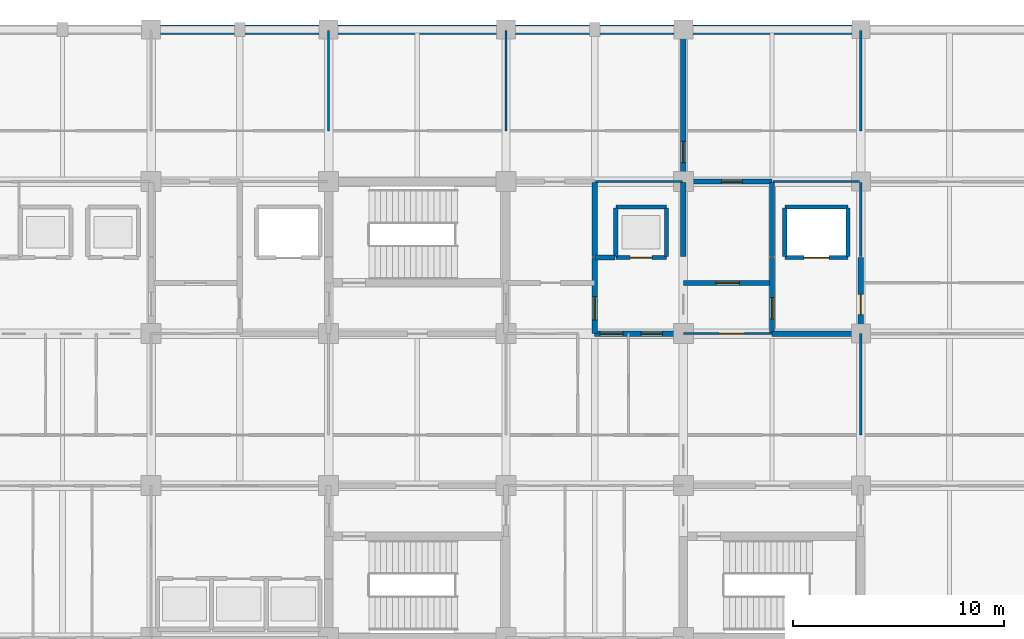
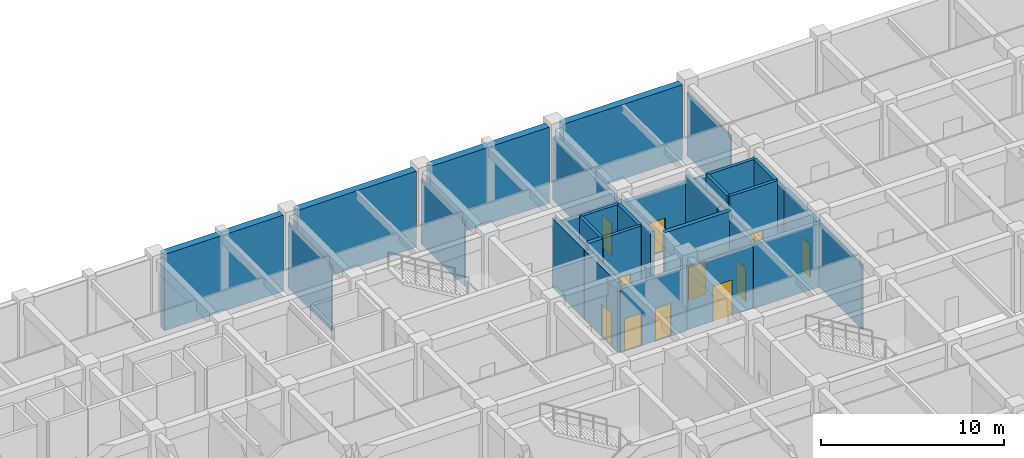
# One storey, part 34 of 48: 32 walls, 11 doors, 11 openings.
"""IFC4 building model written with IfcOpenShell, lengths in metres."""

from ifc_helpers import new_model, si_unit, direction, frame, frame_2d, origin, place, context, subcontext, project, spatial, rectangle, extrude, material, layer, layer_set, type_object, element, fill, save


model = new_model("IFC4")

# Units and contexts
model_context = context("Model", 3, precision=1e-05, world=origin(), true_north=direction((0.0, 1.0)))
body_context = subcontext(model_context, "Body", "Model", "MODEL_VIEW")
ifc_project = project(units=[si_unit("LENGTHUNIT", "METRE"), si_unit("AREAUNIT", "SQUARE_METRE"), si_unit("VOLUMEUNIT", "CUBIC_METRE"), si_unit("PLANEANGLEUNIT", "RADIAN"), si_unit("MASSUNIT", "GRAM", prefix="KILO")], contexts=[model_context])

# Site, building, storey
site_placement = place(None, origin())
site = spatial("IfcSite", under=ifc_project, at=site_placement, CompositionType="ELEMENT")
building_placement = place(site_placement, origin())
building = spatial("IfcBuilding", under=site, at=building_placement, Name="Chengyuan Square Courthouse", CompositionType="ELEMENT")
storey_placement = place(building_placement, frame((0.0, 0.0, -5.39990234375)))
storey = spatial("IfcBuildingStorey", under=building, at=storey_placement, Name="B01", CompositionType="ELEMENT", Elevation=-5.39990234375)

# Wall, openings, doors
ifc_material_1 = material(Name="Concrete C40", Category="concrete")
ifc_layer_1 = layer(ifc_material_1, 0.25)
ifc_layer_set_1 = layer_set([ifc_layer_1], Name="Concrete C40")
wall_type_1 = type_object("IfcWallType", Name="WL-FW1", PredefinedType="STANDARD", material=ifc_layer_set_1)
wall_1_placement = place(storey_placement, frame((113.39990234375, 100.800048828125, 0.0), z_axis=(0.0, 0.0, 1.0), x_axis=(1.0, 0.0, 0.0)))
wall_1 = element("IfcWall", 1, at=wall_1_placement, inside=storey, type_object=wall_type_1, Name="Interior Wall WL-B01-I364", PredefinedType="STANDARD", context=body_context, shape_type="SweptSolid", body=[
    extrude(rectangle(XDim=4.2001953125, YDim=0.25, at=frame_2d((2.10009765625, 0.0))), origin(), (0.0, 0.0, 1.0), 4.25),
])
opening_1_placement = place(wall_1_placement, frame((0.25, 0.0, 0.0)))
opening_1 = element("IfcOpeningElement", 2, at=opening_1_placement, cuts=wall_1, Name="Opening DR-441", PredefinedType="OPENING", context=body_context, shape_type="SweptSolid", body=[
    extrude(rectangle(XDim=1.10009765625, YDim=2.199951171875, at=frame_2d((0.550048828125, 1.10009765625))), frame((0.0, 0.136962890625, 0.0), z_axis=(0.0, -1.0, 0.0), x_axis=(1.0, 0.0, 0.0)), (0.0, 0.0, 1.0), 0.27392578125),
])
opening_2_placement = place(wall_1_placement, frame((2.202392578125, 0.0, 0.0)))
opening_2 = element("IfcOpeningElement", 3, at=opening_2_placement, cuts=wall_1, Name="Opening DR-442", PredefinedType="OPENING", context=body_context, shape_type="SweptSolid", body=[
    extrude(rectangle(XDim=1.0, YDim=2.199951171875, at=frame_2d((0.5, 1.10009765625))), frame((0.0, 0.136962890625, 0.0), z_axis=(0.0, -1.0, 0.0), x_axis=(1.0, 0.0, 0.0)), (0.0, 0.0, 1.0), 0.27392578125),
])
ifc_material_2 = material(Name="Steel Q235B Fire Door", Category="steel")
door_type_1 = type_object("IfcDoorType", Name="DT-10", OperationType="NOTDEFINED", PredefinedType="DOOR", material=ifc_material_2)
door_1_placement = place(opening_1_placement, origin())
door_1 = element("IfcDoor", 4, at=door_1_placement, inside=storey, type_object=door_type_1, Name="Interior Door DR-441", OperationType="SINGLE_SWING_RIGHT", OverallHeight=2.199951171875, OverallWidth=1.10009765625, PredefinedType="DOOR", context=body_context, shape_type="SweptSolid", body=[
    extrude(rectangle(XDim=1.10009765625, YDim=2.199951171875, at=frame_2d((0.550048828125, 1.10009765625))), frame((0.0, 0.02490234375, 0.0), z_axis=(0.0, -1.0, 0.0), x_axis=(1.0, 0.0, 0.0)), (0.0, 0.0, 1.0), 0.050048828125),
])
fill(opening_1, door_1)
door_type_2 = type_object("IfcDoorType", Name="DT-11", OperationType="NOTDEFINED", PredefinedType="DOOR", material=ifc_material_2)
door_2_placement = place(opening_2_placement, origin())
door_2 = element("IfcDoor", 5, at=door_2_placement, inside=storey, type_object=door_type_2, Name="Interior Door DR-442", OperationType="SINGLE_SWING_LEFT", OverallHeight=2.199951171875, OverallWidth=1.0, PredefinedType="DOOR", context=body_context, shape_type="SweptSolid", body=[
    extrude(rectangle(XDim=1.0, YDim=2.199951171875, at=frame_2d((0.5, 1.10009765625))), frame((0.0, 0.02490234375, 0.0), z_axis=(0.0, -1.0, 0.0), x_axis=(1.0, 0.0, 0.0)), (0.0, 0.0, 1.0), 0.050048828125),
])
fill(opening_2, door_2)

# Wall
wall_2_placement = place(storey_placement, frame((121.800048828125, 100.800048828125, 0.0), z_axis=(0.0, 0.0, 1.0), x_axis=(1.0, 0.0, 0.0)))
element("IfcWall", 6, at=wall_2_placement, inside=storey, type_object=wall_type_1, Name="Interior Wall WL-B01-I366", PredefinedType="STANDARD", context=body_context, shape_type="SweptSolid", body=[
    extrude(rectangle(XDim=4.199951171875, YDim=0.25, at=frame_2d((2.10009765625, 0.0))), origin(), (0.0, 0.0, 1.0), 4.25),
])

# Wall, opening, door
wall_3_placement = place(storey_placement, frame((117.60009765625, 103.199951171875, 0.0), z_axis=(0.0, 0.0, 1.0), x_axis=(1.0, 0.0, 0.0)))
wall_3 = element("IfcWall", 7, at=wall_3_placement, inside=storey, type_object=wall_type_1, Name="Interior Wall WL-B01-I378", PredefinedType="STANDARD", context=body_context, shape_type="SweptSolid", body=[
    extrude(rectangle(XDim=4.199951171875, YDim=0.25, at=frame_2d((2.10009765625, 0.0))), origin(), (0.0, 0.0, 1.0), 5.099853515625),
])
opening_3_placement = place(wall_3_placement, frame((1.550048828125, 0.0, 0.0)))
opening_3 = element("IfcOpeningElement", 8, at=opening_3_placement, cuts=wall_3, Name="Opening DR-414", PredefinedType="OPENING", context=body_context, shape_type="SweptSolid", body=[
    extrude(rectangle(XDim=1.10009765625, YDim=2.199951171875, at=frame_2d((0.550048828125, 1.10009765625))), frame((0.0, 0.136962890625, 0.0), z_axis=(0.0, -1.0, 0.0), x_axis=(1.0, 0.0, 0.0)), (0.0, 0.0, 1.0), 0.27392578125),
])
door_3_placement = place(opening_3_placement, origin())
door_3 = element("IfcDoor", 9, at=door_3_placement, inside=storey, type_object=door_type_1, Name="Interior Door DR-414", OperationType="SINGLE_SWING_RIGHT", OverallHeight=2.199951171875, OverallWidth=1.10009765625, PredefinedType="DOOR", context=body_context, shape_type="SweptSolid", body=[
    extrude(rectangle(XDim=1.10009765625, YDim=2.199951171875, at=frame_2d((0.550048828125, 1.10009765625))), frame((0.0, 0.02490234375, 0.0), z_axis=(0.0, -1.0, 0.0), x_axis=(1.0, 0.0, 0.0)), (0.0, 0.0, 1.0), 0.050048828125),
])
fill(opening_3, door_3)

# Wall
wall_4_placement = place(storey_placement, frame((113.449951171875, 104.39990234375, 0.0), z_axis=(0.0, 0.0, 1.0), x_axis=(1.0, 0.0, 0.0)))
element("IfcWall", 10, at=wall_4_placement, inside=storey, type_object=wall_type_1, Name="Interior Wall WL-B01-I391", PredefinedType="STANDARD", context=body_context, shape_type="SweptSolid", body=[
    extrude(rectangle(XDim=0.900146484375, YDim=0.25, at=frame_2d((0.4501953125, 0.0))), origin(), (0.0, 0.0, 1.0), 5.099853515625),
])

# Wall, opening, door
wall_5_placement = place(storey_placement, frame((117.60009765625, 108.0, 0.0), z_axis=(0.0, 0.0, 1.0), x_axis=(1.0, 0.0, 0.0)))
wall_5 = element("IfcWall", 11, at=wall_5_placement, inside=storey, type_object=wall_type_1, Name="Interior Wall WL-B01-I422", PredefinedType="STANDARD", context=body_context, shape_type="SweptSolid", body=[
    extrude(rectangle(XDim=4.199951171875, YDim=0.25, at=frame_2d((2.10009765625, 0.0))), origin(), (0.0, 0.0, 1.0), 4.1298828125),
])
opening_4_placement = place(wall_5_placement, frame((1.797607421875, 0.0, 0.0)))
opening_4 = element("IfcOpeningElement", 12, at=opening_4_placement, cuts=wall_5, Name="Opening DR-418", PredefinedType="OPENING", context=body_context, shape_type="SweptSolid", body=[
    extrude(rectangle(XDim=1.0, YDim=2.199951171875, at=frame_2d((0.5, 1.10009765625))), frame((0.0, 0.136962890625, 0.0), z_axis=(0.0, -1.0, 0.0), x_axis=(1.0, 0.0, 0.0)), (0.0, 0.0, 1.0), 0.27392578125),
])
door_4_placement = place(opening_4_placement, origin())
door_4 = element("IfcDoor", 13, at=door_4_placement, inside=storey, type_object=door_type_2, Name="Interior Door DR-418", OperationType="SINGLE_SWING_RIGHT", OverallHeight=2.199951171875, OverallWidth=1.0, PredefinedType="DOOR", context=body_context, shape_type="SweptSolid", body=[
    extrude(rectangle(XDim=1.0, YDim=2.199951171875, at=frame_2d((0.5, 1.10009765625))), frame((0.0, 0.02490234375, 0.0), z_axis=(0.0, -1.0, 0.0), x_axis=(1.0, 0.0, 0.0)), (0.0, 0.0, 1.0), 0.050048828125),
])
fill(opening_4, door_4)

wall_6_placement = place(storey_placement, frame((113.39990234375, 100.800048828125, 0.0), z_axis=(0.0, 0.0, 1.0), x_axis=(0.0, 1.0, 0.0)))
wall_6 = element("IfcWall", 14, at=wall_6_placement, inside=storey, type_object=wall_type_1, Name="Interior Wall WL-B01-I568", PredefinedType="STANDARD", context=body_context, shape_type="SweptSolid", body=[
    extrude(rectangle(XDim=3.599853515625, YDim=0.25, at=frame_2d((1.7998046875, 0.0))), origin(), (0.0, 0.0, 1.0), 4.64990234375),
])
opening_5_placement = place(wall_6_placement, frame((0.64990234375, 0.0, 0.0)))
opening_5 = element("IfcOpeningElement", 15, at=opening_5_placement, cuts=wall_6, Name="Opening DR-438", PredefinedType="OPENING", context=body_context, shape_type="SweptSolid", body=[
    extrude(rectangle(XDim=1.10009765625, YDim=2.199951171875, at=frame_2d((0.550048828125, 1.10009765625))), frame((0.0, 0.136962890625, 0.0), z_axis=(0.0, -1.0, 0.0), x_axis=(1.0, 0.0, 0.0)), (0.0, 0.0, 1.0), 0.27392578125),
])
door_5_placement = place(opening_5_placement, origin())
door_5 = element("IfcDoor", 16, at=door_5_placement, inside=storey, type_object=door_type_1, Name="Interior Door DR-438", OperationType="SINGLE_SWING_LEFT", OverallHeight=2.199951171875, OverallWidth=1.10009765625, PredefinedType="DOOR", context=body_context, shape_type="SweptSolid", body=[
    extrude(rectangle(XDim=1.10009765625, YDim=2.199951171875, at=frame_2d((0.550048828125, 1.10009765625))), frame((0.0, 0.02490234375, 0.0), z_axis=(0.0, -1.0, 0.0), x_axis=(1.0, 0.0, 0.0)), (0.0, 0.0, 1.0), 0.050048828125),
])
fill(opening_5, door_5)

# Walls
wall_7_placement = place(storey_placement, frame((113.39990234375, 104.449951171875, 0.0), z_axis=(0.0, 0.0, 1.0), x_axis=(0.0, 1.0, 0.0)))
element("IfcWall", 17, at=wall_7_placement, inside=storey, type_object=wall_type_1, Name="Interior Wall WL-B01-I569", PredefinedType="STANDARD", context=body_context, shape_type="SweptSolid", body=[
    extrude(rectangle(XDim=3.5, YDim=0.25, at=frame_2d((1.75, 0.0))), origin(), (0.0, 0.0, 1.0), 4.64990234375),
])
wall_8_placement = place(storey_placement, frame((117.60009765625, 104.449951171875, 0.0), z_axis=(0.0, 0.0, 1.0), x_axis=(0.0, 1.0, 0.0)))
element("IfcWall", 18, at=wall_8_placement, inside=storey, type_object=wall_type_1, Name="Interior Wall WL-B01-I577", PredefinedType="STANDARD", context=body_context, shape_type="SweptSolid", body=[
    extrude(rectangle(XDim=3.5, YDim=0.25, at=frame_2d((1.75, 0.0))), origin(), (0.0, 0.0, 1.0), 4.349853515625),
])

# Wall, opening, door
wall_9_placement = place(storey_placement, frame((117.60009765625, 108.0, 0.0), z_axis=(0.0, 0.0, 1.0), x_axis=(0.0, 1.0, 0.0)))
wall_9 = element("IfcWall", 19, at=wall_9_placement, inside=storey, type_object=wall_type_1, Name="Interior Wall WL-B01-I578", PredefinedType="STANDARD", context=body_context, shape_type="SweptSolid", body=[
    extrude(rectangle(XDim=7.159912109375, YDim=0.25, at=frame_2d((3.580078125, 0.0))), origin(), (0.0, 0.0, 1.0), 4.22998046875),
])
opening_6_placement = place(wall_9_placement, frame((0.8974609375, 0.0, 0.0)))
opening_6 = element("IfcOpeningElement", 20, at=opening_6_placement, cuts=wall_9, Name="Opening DR-604", PredefinedType="OPENING", context=body_context, shape_type="SweptSolid", body=[
    extrude(rectangle(XDim=1.0, YDim=2.199951171875, at=frame_2d((0.5, 1.10009765625))), frame((0.0, 0.136962890625, 0.0), z_axis=(0.0, -1.0, 0.0), x_axis=(1.0, 0.0, 0.0)), (0.0, 0.0, 1.0), 0.27392578125),
])
door_6_placement = place(opening_6_placement, origin())
door_6 = element("IfcDoor", 21, at=door_6_placement, inside=storey, type_object=door_type_2, Name="Interior Door DR-604", OperationType="SINGLE_SWING_LEFT", OverallHeight=2.199951171875, OverallWidth=1.0, PredefinedType="DOOR", context=body_context, shape_type="SweptSolid", body=[
    extrude(rectangle(XDim=1.0, YDim=2.199951171875, at=frame_2d((0.5, 1.10009765625))), frame((0.0, 0.02490234375, 0.0), z_axis=(0.0, -1.0, 0.0), x_axis=(1.0, 0.0, 0.0)), (0.0, 0.0, 1.0), 0.050048828125),
])
fill(opening_6, door_6)

wall_10_placement = place(storey_placement, frame((121.800048828125, 100.800048828125, 0.0), z_axis=(0.0, 0.0, 1.0), x_axis=(0.0, 1.0, 0.0)))
wall_10 = element("IfcWall", 22, at=wall_10_placement, inside=storey, type_object=wall_type_1, Name="Interior Wall WL-B01-I579", PredefinedType="STANDARD", context=body_context, shape_type="SweptSolid", body=[
    extrude(rectangle(XDim=3.599853515625, YDim=0.25, at=frame_2d((1.7998046875, 0.0))), origin(), (0.0, 0.0, 1.0), 4.5498046875),
])
opening_7_placement = place(wall_10_placement, frame((0.699951171875, 0.0, 0.0)))
opening_7 = element("IfcOpeningElement", 23, at=opening_7_placement, cuts=wall_10, Name="Opening DR-415", PredefinedType="OPENING", context=body_context, shape_type="SweptSolid", body=[
    extrude(rectangle(XDim=1.0, YDim=2.199951171875, at=frame_2d((0.5, 1.10009765625))), frame((0.0, 0.136962890625, 0.0), z_axis=(0.0, -1.0, 0.0), x_axis=(1.0, 0.0, 0.0)), (0.0, 0.0, 1.0), 0.27392578125),
])
door_7_placement = place(opening_7_placement, origin())
door_7 = element("IfcDoor", 24, at=door_7_placement, inside=storey, type_object=door_type_2, Name="Interior Door DR-415", OperationType="SINGLE_SWING_LEFT", OverallHeight=2.199951171875, OverallWidth=1.0, PredefinedType="DOOR", context=body_context, shape_type="SweptSolid", body=[
    extrude(rectangle(XDim=1.0, YDim=2.199951171875, at=frame_2d((0.5, 1.10009765625))), frame((0.0, 0.02490234375, 0.0), z_axis=(0.0, -1.0, 0.0), x_axis=(1.0, 0.0, 0.0)), (0.0, 0.0, 1.0), 0.050048828125),
])
fill(opening_7, door_7)

# Wall
wall_11_placement = place(storey_placement, frame((121.800048828125, 104.449951171875, 0.0), z_axis=(0.0, 0.0, 1.0), x_axis=(0.0, 1.0, 0.0)))
element("IfcWall", 25, at=wall_11_placement, inside=storey, type_object=wall_type_1, Name="Interior Wall WL-B01-I580", PredefinedType="STANDARD", context=body_context, shape_type="SweptSolid", body=[
    extrude(rectangle(XDim=3.5, YDim=0.25, at=frame_2d((1.75, 0.0))), origin(), (0.0, 0.0, 1.0), 4.5498046875),
])

# Wall, opening, door
wall_12_placement = place(storey_placement, frame((126.0, 100.800048828125, 0.0), z_axis=(0.0, 0.0, 1.0), x_axis=(0.0, 1.0, 0.0)))
wall_12 = element("IfcWall", 26, at=wall_12_placement, inside=storey, type_object=wall_type_1, Name="Interior Wall WL-B01-I587", PredefinedType="STANDARD", context=body_context, shape_type="SweptSolid", body=[
    extrude(rectangle(XDim=3.599853515625, YDim=0.25, at=frame_2d((1.7998046875, 0.0))), origin(), (0.0, 0.0, 1.0), 4.349853515625),
])
opening_8_placement = place(wall_12_placement, frame((0.909912109375, 0.0, 0.0)))
opening_8 = element("IfcOpeningElement", 27, at=opening_8_placement, cuts=wall_12, Name="Opening DR-419", PredefinedType="OPENING", context=body_context, shape_type="SweptSolid", body=[
    extrude(rectangle(XDim=0.949951171875, YDim=2.14990234375, at=frame_2d((0.47509765625, 1.074951171875))), frame((0.0, 0.136962890625, 0.0), z_axis=(0.0, -1.0, 0.0), x_axis=(1.0, 0.0, 0.0)), (0.0, 0.0, 1.0), 0.27392578125),
])
door_type_3 = type_object("IfcDoorType", Name="DT-12", OperationType="NOTDEFINED", PredefinedType="DOOR", material=ifc_material_2)
door_8_placement = place(opening_8_placement, origin())
door_8 = element("IfcDoor", 28, at=door_8_placement, inside=storey, type_object=door_type_3, Name="Interior Door DR-419", OperationType="SINGLE_SWING_LEFT", OverallHeight=2.14990234375, OverallWidth=0.949951171875, PredefinedType="DOOR", context=body_context, shape_type="SweptSolid", body=[
    extrude(rectangle(XDim=0.949951171875, YDim=2.14990234375, at=frame_2d((0.47509765625, 1.074951171875))), frame((0.0, 0.02490234375, 0.0), z_axis=(0.0, -1.0, 0.0), x_axis=(1.0, 0.0, 0.0)), (0.0, 0.0, 1.0), 0.050048828125),
])
fill(opening_8, door_8)

ifc_material_3 = material(Name="Gypsum Plasterboard Acoustic Stud Partition")
ifc_layer_2 = layer(ifc_material_3, 0.10009765625)
ifc_layer_set_2 = layer_set([ifc_layer_2], Name="Gypsum Plasterboard Acoustic Stud Partition")
wall_type_2 = type_object("IfcWallType", Name="WL-PT6", PredefinedType="STANDARD", material=ifc_layer_set_2)
wall_13_placement = place(storey_placement, frame((117.60009765625, 100.800048828125, 0.0), z_axis=(0.0, 0.0, 1.0), x_axis=(1.0, 0.0, 0.0)))
wall_13 = element("IfcWall", 29, at=wall_13_placement, inside=storey, type_object=wall_type_2, Name="Interior Wall WL-B01-I365", PredefinedType="STANDARD", context=body_context, shape_type="SweptSolid", body=[
    extrude(rectangle(XDim=4.199951171875, YDim=0.10009765625, at=frame_2d((2.10009765625, 0.0))), origin(), (0.0, 0.0, 1.0), 4.25),
])
opening_9_placement = place(wall_13_placement, frame((1.697509765625, 0.0, 0.0)))
opening_9 = element("IfcOpeningElement", 30, at=opening_9_placement, cuts=wall_13, Name="Opening DR-417", PredefinedType="OPENING", context=body_context, shape_type="SweptSolid", body=[
    extrude(rectangle(XDim=1.199951171875, YDim=2.35009765625, at=frame_2d((0.60009765625, 1.175048828125))), frame((0.0, 0.06201171875, 0.0), z_axis=(0.0, -1.0, 0.0), x_axis=(1.0, 0.0, 0.0)), (0.0, 0.0, 1.0), 0.1240234375),
])
ifc_material_4 = material(Name="Acoustic Solid-Core Timber Door", Category="wood")
door_type_4 = type_object("IfcDoorType", Name="DT-36", OperationType="NOTDEFINED", PredefinedType="DOOR", material=ifc_material_4)
door_9_placement = place(opening_9_placement, origin())
door_9 = element("IfcDoor", 31, at=door_9_placement, inside=storey, type_object=door_type_4, Name="Interior Door DR-417", OperationType="SINGLE_SWING_LEFT", OverallHeight=2.35009765625, OverallWidth=1.199951171875, PredefinedType="DOOR", context=body_context, shape_type="SweptSolid", body=[
    extrude(rectangle(XDim=1.199951171875, YDim=2.35009765625, at=frame_2d((0.60009765625, 1.175048828125))), frame((0.0, 0.02490234375, 0.0), z_axis=(0.0, -1.0, 0.0), x_axis=(1.0, 0.0, 0.0)), (0.0, 0.0, 1.0), 0.050048828125),
])
fill(opening_9, door_9)

# Walls
wall_14_placement = place(storey_placement, frame((113.449951171875, 108.0, 0.0), z_axis=(0.0, 0.0, 1.0), x_axis=(1.0, 0.0, 0.0)))
element("IfcWall", 32, at=wall_14_placement, inside=storey, type_object=wall_type_2, Name="Interior Wall WL-B01-I421", PredefinedType="STANDARD", context=body_context, shape_type="SweptSolid", body=[
    extrude(rectangle(XDim=4.10009765625, YDim=0.10009765625, at=frame_2d((2.050048828125, 0.0))), origin(), (0.0, 0.0, 1.0), 4.25),
])
wall_15_placement = place(storey_placement, frame((121.85009765625, 108.0, 0.0), z_axis=(0.0, 0.0, 1.0), x_axis=(1.0, 0.0, 0.0)))
element("IfcWall", 33, at=wall_15_placement, inside=storey, type_object=wall_type_2, Name="Interior Wall WL-B01-I423", PredefinedType="STANDARD", context=body_context, shape_type="SweptSolid", body=[
    extrude(rectangle(XDim=4.099853515625, YDim=0.10009765625, at=frame_2d((2.0498046875, 0.0))), origin(), (0.0, 0.0, 1.0), 4.1298828125),
])
for number, where, z_axis, x_axis, name in (
    (34, (100.800048828125, 110.39990234375, 0.0), (0.0, 0.0, 1.0), (0.0, 1.0, 0.0), "Interior Wall WL-B01-I558"),
    (35, (109.199951171875, 110.39990234375, 0.0), (0.0, 0.0, 1.0), (0.0, 1.0, 0.0), "Interior Wall WL-B01-I565"),
):
    element("IfcWall", number, at=place(storey_placement, frame(where, z_axis=z_axis, x_axis=x_axis)), inside=storey, type_object=wall_type_2, Name=name, PredefinedType="STANDARD", context=body_context, shape_type="SweptSolid", body=[
        extrude(rectangle(XDim=4.760009765625, YDim=0.10009765625, at=frame_2d((2.3798828125, 0.0))), origin(), (0.0, 0.0, 1.0), 4.349853515625),
    ])
wall_16_placement = place(storey_placement, frame((126.0, 96.0, 0.0), z_axis=(0.0, 0.0, 1.0), x_axis=(0.0, 1.0, 0.0)))
element("IfcWall", 36, at=wall_16_placement, inside=storey, type_object=wall_type_2, Name="Interior Wall WL-B01-I586", PredefinedType="STANDARD", context=body_context, shape_type="SweptSolid", body=[
    extrude(rectangle(XDim=4.800048828125, YDim=0.10009765625, at=frame_2d((2.39990234375, 0.0))), origin(), (0.0, 0.0, 1.0), 4.349853515625),
])
wall_17_placement = place(storey_placement, frame((126.0, 104.449951171875, 0.0), z_axis=(0.0, 0.0, 1.0), x_axis=(0.0, 1.0, 0.0)))
element("IfcWall", 37, at=wall_17_placement, inside=storey, type_object=wall_type_2, Name="Interior Wall WL-B01-I588", PredefinedType="STANDARD", context=body_context, shape_type="SweptSolid", body=[
    extrude(rectangle(XDim=3.5, YDim=0.10009765625, at=frame_2d((1.75, 0.0))), origin(), (0.0, 0.0, 1.0), 4.349853515625),
])
wall_18_placement = place(storey_placement, frame((126.0, 110.39990234375, 0.0), z_axis=(0.0, 0.0, 1.0), x_axis=(0.0, 1.0, 0.0)))
element("IfcWall", 38, at=wall_18_placement, inside=storey, type_object=wall_type_2, Name="Interior Wall WL-B01-I589", PredefinedType="STANDARD", context=body_context, shape_type="SweptSolid", body=[
    extrude(rectangle(XDim=4.760009765625, YDim=0.10009765625, at=frame_2d((2.3798828125, 0.0))), origin(), (0.0, 0.0, 1.0), 4.22998046875),
])
ifc_layer_3 = layer(ifc_material_1, 0.449951171875)
ifc_layer_set_3 = layer_set([ifc_layer_3], Name="Concrete C40")
wall_type_3 = type_object("IfcWallType", Name="WL-RW2", PredefinedType="USERDEFINED", material=ifc_layer_set_3)
wall_19_placement = place(storey_placement, frame((92.844970703125, 115.199951171875, 0.0), z_axis=(0.0, 0.0, 1.0), x_axis=(1.0, 0.0, 0.0)))
element("IfcWall", 39, at=wall_19_placement, inside=storey, type_object=wall_type_3, Name="Basement Retaining Wall WL-B01-E112", ObjectType="RETAININGWALL", PredefinedType="USERDEFINED", context=body_context, shape_type="SweptSolid", body=[
    extrude(rectangle(XDim=7.510009765625, YDim=0.449951171875, at=frame_2d((3.7548828125, 0.0))), origin(), (0.0, 0.0, 1.0), 5.099853515625),
])
wall_20_placement = place(storey_placement, frame((101.2451171875, 115.199951171875, 0.0), z_axis=(0.0, 0.0, 1.0), x_axis=(1.0, 0.0, 0.0)))
element("IfcWall", 40, at=wall_20_placement, inside=storey, type_object=wall_type_3, Name="Basement Retaining Wall WL-B01-E114", ObjectType="RETAININGWALL", PredefinedType="USERDEFINED", context=body_context, shape_type="SweptSolid", body=[
    extrude(rectangle(XDim=7.509765625, YDim=0.449951171875, at=frame_2d((3.7548828125, 0.0))), origin(), (0.0, 0.0, 1.0), 5.099853515625),
])
wall_21_placement = place(storey_placement, frame((109.64501953125, 115.199951171875, 0.0), z_axis=(0.0, 0.0, 1.0), x_axis=(1.0, 0.0, 0.0)))
element("IfcWall", 41, at=wall_21_placement, inside=storey, type_object=wall_type_3, Name="Basement Retaining Wall WL-B01-E116", ObjectType="RETAININGWALL", PredefinedType="USERDEFINED", context=body_context, shape_type="SweptSolid", body=[
    extrude(rectangle(XDim=7.510009765625, YDim=0.449951171875, at=frame_2d((3.7548828125, 0.0))), origin(), (0.0, 0.0, 1.0), 5.099853515625),
])
wall_22_placement = place(storey_placement, frame((118.044921875, 115.199951171875, 0.0), z_axis=(0.0, 0.0, 1.0), x_axis=(1.0, 0.0, 0.0)))
element("IfcWall", 42, at=wall_22_placement, inside=storey, type_object=wall_type_3, Name="Basement Retaining Wall WL-B01-E118", ObjectType="RETAININGWALL", PredefinedType="USERDEFINED", context=body_context, shape_type="SweptSolid", body=[
    extrude(rectangle(XDim=7.53515625, YDim=0.449951171875, at=frame_2d((3.767578125, 0.0))), origin(), (0.0, 0.0, 1.0), 4.97998046875),
])

# Wall, opening, door
ifc_material_5 = material(Name="Reinforced Masonry Shaft Enclosure", Category="masonry")
ifc_layer_4 = layer(ifc_material_5, 0.199951171875)
ifc_layer_set_4 = layer_set([ifc_layer_4], Name="Reinforced Masonry Shaft Enclosure")
wall_type_4 = type_object("IfcWallType", Name="WL-SH1", PredefinedType="STANDARD", material=ifc_layer_set_4)
wall_23_placement = place(storey_placement, frame((114.39990234375, 104.39990234375, 0.0), z_axis=(0.0, 0.0, 1.0), x_axis=(1.0, 0.0, 0.0)))
wall_23 = element("IfcWall", 43, at=wall_23_placement, inside=storey, type_object=wall_type_4, Name="Interior Wall WL-B01-I392", PredefinedType="STANDARD", context=body_context, shape_type="SweptSolid", body=[
    extrude(rectangle(XDim=2.400146484375, YDim=0.199951171875, at=frame_2d((1.2001953125, 0.0))), origin(), (0.0, 0.0, 1.0), 5.099853515625),
])
opening_10_placement = place(wall_23_placement, frame((0.675048828125, 0.0, 0.0)))
opening_10 = element("IfcOpeningElement", 44, at=opening_10_placement, cuts=wall_23, Name="Opening LD-020", PredefinedType="OPENING", context=body_context, shape_type="SweptSolid", body=[
    extrude(rectangle(XDim=1.050048828125, YDim=2.14990234375, at=frame_2d((0.52490234375, 1.074951171875))), frame((0.0, 0.112060546875, 0.0), z_axis=(0.0, -1.0, 0.0), x_axis=(1.0, 0.0, 0.0)), (0.0, 0.0, 1.0), 0.223876953125),
])
ifc_material_6 = material(Name="Stainless Steel S30408 Lift Landing Door", Category="steel")
door_type_5 = type_object("IfcDoorType", Name="DT-08", OperationType="DOUBLE_DOOR_SLIDING", PredefinedType="DOOR", material=ifc_material_6)
door_10_placement = place(opening_10_placement, origin())
door_10 = element("IfcDoor", 45, at=door_10_placement, inside=storey, type_object=door_type_5, Name="Lift Landing Door LF-C2 B01", OperationType="DOUBLE_DOOR_SLIDING", OverallHeight=2.14990234375, OverallWidth=1.050048828125, PredefinedType="DOOR", context=body_context, shape_type="SweptSolid", body=[
    extrude(rectangle(XDim=1.050048828125, YDim=2.14990234375, at=frame_2d((0.52490234375, 1.074951171875))), frame((0.0, 0.02490234375, 0.0), z_axis=(0.0, -1.0, 0.0), x_axis=(1.0, 0.0, 0.0)), (0.0, 0.0, 1.0), 0.050048828125),
])
fill(opening_10, door_10)

wall_24_placement = place(storey_placement, frame((122.39990234375, 104.39990234375, 0.0), z_axis=(0.0, 0.0, 1.0), x_axis=(1.0, 0.0, 0.0)))
wall_24 = element("IfcWall", 46, at=wall_24_placement, inside=storey, type_object=wall_type_4, Name="Interior Wall WL-B01-I393", PredefinedType="STANDARD", context=body_context, shape_type="SweptSolid", body=[
    extrude(rectangle(XDim=3.0, YDim=0.199951171875, at=frame_2d((1.5, 0.0))), origin(), (0.0, 0.0, 1.0), 5.099853515625),
])
opening_11_placement = place(wall_24_placement, frame((0.89990234375, 0.0, 0.0)))
opening_11 = element("IfcOpeningElement", 47, at=opening_11_placement, cuts=wall_24, Name="Opening LD-008", PredefinedType="OPENING", context=body_context, shape_type="SweptSolid", body=[
    extrude(rectangle(XDim=1.199951171875, YDim=2.14990234375, at=frame_2d((0.60009765625, 1.074951171875))), frame((0.0, 0.112060546875, 0.0), z_axis=(0.0, -1.0, 0.0), x_axis=(1.0, 0.0, 0.0)), (0.0, 0.0, 1.0), 0.223876953125),
])
door_type_6 = type_object("IfcDoorType", Name="DT-05", OperationType="DOUBLE_DOOR_SLIDING", PredefinedType="DOOR", material=ifc_material_6)
door_11_placement = place(opening_11_placement, origin())
door_11 = element("IfcDoor", 48, at=door_11_placement, inside=storey, type_object=door_type_6, Name="Lift Landing Door LF-F4 B01", OperationType="DOUBLE_DOOR_SLIDING", OverallHeight=2.14990234375, OverallWidth=1.199951171875, PredefinedType="DOOR", context=body_context, shape_type="SweptSolid", body=[
    extrude(rectangle(XDim=1.199951171875, YDim=2.14990234375, at=frame_2d((0.60009765625, 1.074951171875))), frame((0.0, 0.02490234375, 0.0), z_axis=(0.0, -1.0, 0.0), x_axis=(1.0, 0.0, 0.0)), (0.0, 0.0, 1.0), 0.050048828125),
])
fill(opening_11, door_11)

# Walls
wall_25_placement = place(storey_placement, frame((114.39990234375, 106.800048828125, 0.0), z_axis=(0.0, 0.0, 1.0), x_axis=(1.0, 0.0, 0.0)))
element("IfcWall", 49, at=wall_25_placement, inside=storey, type_object=wall_type_4, Name="Interior Wall WL-B01-I402", PredefinedType="STANDARD", context=body_context, shape_type="SweptSolid", body=[
    extrude(rectangle(XDim=2.400146484375, YDim=0.199951171875, at=frame_2d((1.2001953125, 0.0))), origin(), (0.0, 0.0, 1.0), 5.099853515625),
])
wall_26_placement = place(storey_placement, frame((122.39990234375, 106.800048828125, 0.0), z_axis=(0.0, 0.0, 1.0), x_axis=(1.0, 0.0, 0.0)))
element("IfcWall", 50, at=wall_26_placement, inside=storey, type_object=wall_type_4, Name="Interior Wall WL-B01-I403", PredefinedType="STANDARD", context=body_context, shape_type="SweptSolid", body=[
    extrude(rectangle(XDim=3.0, YDim=0.199951171875, at=frame_2d((1.5, 0.0))), origin(), (0.0, 0.0, 1.0), 5.099853515625),
])
for number, where, z_axis, x_axis, name in (
    (51, (114.39990234375, 104.449951171875, 0.0), (0.0, 0.0, 1.0), (0.0, 1.0, 0.0), "Interior Wall WL-B01-I570"),
    (52, (116.800048828125, 104.449951171875, 0.0), (0.0, 0.0, 1.0), (0.0, 1.0, 0.0), "Interior Wall WL-B01-I573"),
    (53, (122.39990234375, 104.449951171875, 0.0), (0.0, 0.0, 1.0), (0.0, 1.0, 0.0), "Interior Wall WL-B01-I581"),
    (54, (125.39990234375, 104.449951171875, 0.0), (0.0, 0.0, 1.0), (0.0, 1.0, 0.0), "Interior Wall WL-B01-I582"),
):
    element("IfcWall", number, at=place(storey_placement, frame(where, z_axis=z_axis, x_axis=x_axis)), inside=storey, type_object=wall_type_4, Name=name, PredefinedType="STANDARD", context=body_context, shape_type="SweptSolid", body=[
        extrude(rectangle(XDim=2.300048828125, YDim=0.199951171875, at=frame_2d((1.14990234375, 0.0))), origin(), (0.0, 0.0, 1.0), 5.099853515625),
    ])

save(model, "model.ifc")
